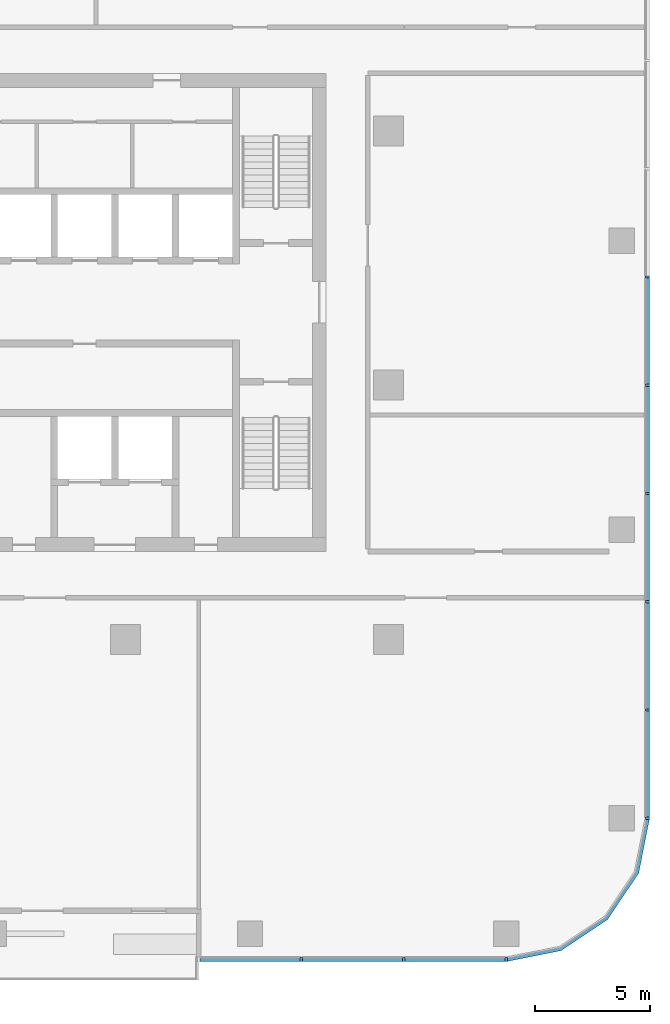
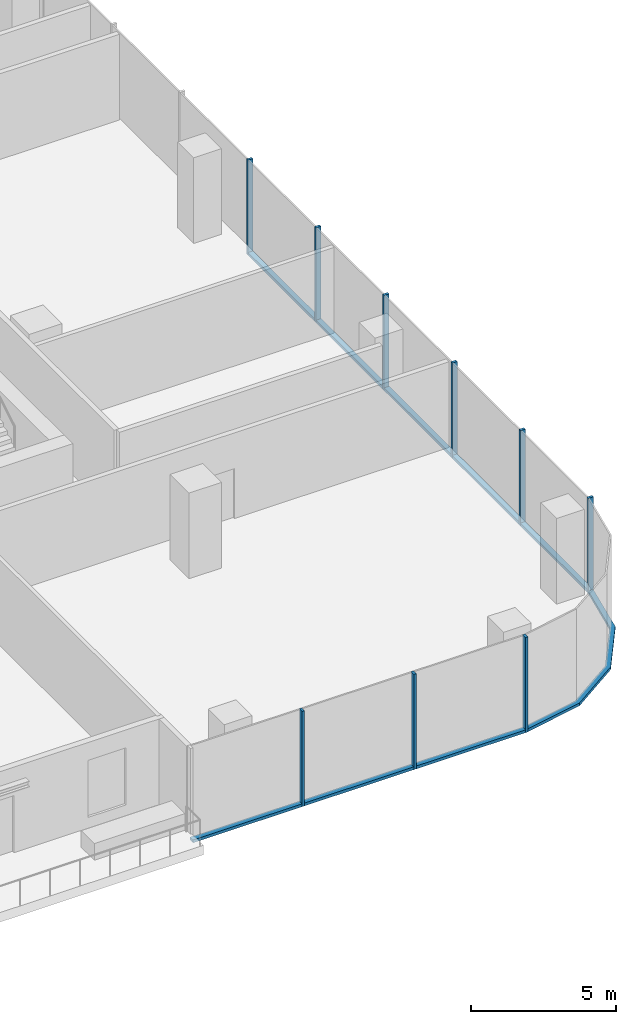
# One storey, part 3 of 14: 18 members, 3 elements without a shape of their own.
"""IFC4 building model written with IfcOpenShell, lengths in metres."""

from ifc_helpers import new_model, si_unit, direction, frame, origin, origin_2d, place, context, subcontext, project, spatial, polyline, rectangle, outline, extrude, material, material_profile, profile_set, type_object, element, aggregate, save


model = new_model("IFC4")

# Units and contexts
model_context = context("Model", 3, precision=1e-05, world=origin(), true_north=direction((0.0, 1.0)))
body_context = subcontext(model_context, "Body", "Model", "MODEL_VIEW")
ifc_project = project(units=[si_unit("LENGTHUNIT", "METRE"), si_unit("AREAUNIT", "SQUARE_METRE"), si_unit("VOLUMEUNIT", "CUBIC_METRE"), si_unit("PLANEANGLEUNIT", "RADIAN"), si_unit("MASSUNIT", "GRAM", prefix="KILO")], contexts=[model_context])

# Site, building, storey
site_placement = place(None, origin())
site = spatial("IfcSite", under=ifc_project, at=site_placement, CompositionType="ELEMENT")
building_placement = place(site_placement, origin())
building = spatial("IfcBuilding", under=site, at=building_placement, Name="Mopane Tessera Tower", CompositionType="ELEMENT")
storey_placement = place(building_placement, frame((0.0, 0.0, 243.0)))
storey = spatial("IfcBuildingStorey", under=building, at=storey_placement, Name="L52", CompositionType="ELEMENT", Elevation=243.0)

# Curtain wall, members
ifc_material_1 = material(Name="Aluminium frame", Category="aluminium")
curtain_wall_type = type_object("IfcCurtainWallType", Name="Unitised curtain wall", PredefinedType="NOTDEFINED", material=ifc_material_1)
curtain_wall_1_placement = place(storey_placement, origin())
curtain_wall_1 = element("IfcCurtainWall", 1, at=curtain_wall_1_placement, inside=storey, type_object=curtain_wall_type, Name="e:cw:L52:S:7", PredefinedType="NOTDEFINED")
ifc_material_2 = material(Name="Aluminium frame", Category="aluminium")
ifc_material_profile_1 = material_profile(ifc_material_2, rectangle(XDim=0.10009765625, YDim=0.199951171875, at=origin_2d()))
ifc_profile_set_1 = profile_set([ifc_material_profile_1], Name="Aluminium frame")
member_type_1 = type_object("IfcMemberType", Name="Aluminium mullion 100 x 200", PredefinedType="MULLION", material=ifc_profile_set_1)
member_1_placement = place(storey_placement, frame((13.320068359375, -24.85009765625, -0.39990234375), z_axis=(0.0, 0.0, 1.0), x_axis=(1.0, 0.0, 0.0)))
member_1 = element("IfcMember", 2, at=member_1_placement, type_object=member_type_1, Name="e:cw:L52:S:7:mu8", PredefinedType="MULLION", context=body_context, shape_type="SweptSolid", body=[
    extrude(rectangle(XDim=0.10009765625, YDim=0.199951171875, at=origin_2d()), origin(), (0.0, 0.0, 1.0), 4.0),
])
member_2_placement = place(storey_placement, frame((17.760009765625, -24.85009765625, -0.39990234375), z_axis=(0.0, 0.0, 1.0), x_axis=(1.0, 0.0, 0.0)))
member_2 = element("IfcMember", 3, at=member_2_placement, type_object=member_type_1, Name="e:cw:L52:S:7:mu9", PredefinedType="MULLION", context=body_context, shape_type="SweptSolid", body=[
    extrude(rectangle(XDim=0.10009765625, YDim=0.199951171875, at=origin_2d()), origin(), (0.0, 0.0, 1.0), 4.0),
])
member_3_placement = place(storey_placement, frame((22.199951171875, -24.85009765625, -0.39990234375), z_axis=(0.0, 0.0, 1.0), x_axis=(1.0, 0.0, 0.0)))
member_3 = element("IfcMember", 4, at=member_3_placement, type_object=member_type_1, Name="e:cw:L52:S:7:mu10", PredefinedType="MULLION", context=body_context, shape_type="SweptSolid", body=[
    extrude(rectangle(XDim=0.10009765625, YDim=0.199951171875, at=origin_2d()), origin(), (0.0, 0.0, 1.0), 4.0),
])

curtain_wall_2_placement = place(storey_placement, origin())
curtain_wall_2 = element("IfcCurtainWall", 5, at=curtain_wall_2_placement, inside=storey, type_object=curtain_wall_type, Name="e:cw:L52:E:0", PredefinedType="NOTDEFINED")
member_4_placement = place(storey_placement, frame((28.300048828125, -18.75, -0.39990234375), z_axis=(0.0, 0.0, 1.0), x_axis=(0.0, 1.0, 0.0)))
member_4 = element("IfcMember", 6, at=member_4_placement, type_object=member_type_1, Name="e:cw:L52:E:0:mu0", PredefinedType="MULLION", context=body_context, shape_type="SweptSolid", body=[
    extrude(rectangle(XDim=0.10009765625, YDim=0.199951171875, at=origin_2d()), origin(), (0.0, 0.0, 1.0), 4.0),
])
member_5_placement = place(storey_placement, frame((28.300048828125, -14.0625, -0.39990234375), z_axis=(0.0, 0.0, 1.0), x_axis=(0.0, 1.0, 0.0)))
member_5 = element("IfcMember", 7, at=member_5_placement, type_object=member_type_1, Name="e:cw:L52:E:0:mu1", PredefinedType="MULLION", context=body_context, shape_type="SweptSolid", body=[
    extrude(rectangle(XDim=0.10009765625, YDim=0.199951171875, at=origin_2d()), origin(), (0.0, 0.0, 1.0), 4.0),
])
member_6_placement = place(storey_placement, frame((28.300048828125, -9.375, -0.39990234375), z_axis=(0.0, 0.0, 1.0), x_axis=(0.0, 1.0, 0.0)))
member_6 = element("IfcMember", 8, at=member_6_placement, type_object=member_type_1, Name="e:cw:L52:E:0:mu2", PredefinedType="MULLION", context=body_context, shape_type="SweptSolid", body=[
    extrude(rectangle(XDim=0.10009765625, YDim=0.199951171875, at=origin_2d()), origin(), (0.0, 0.0, 1.0), 4.0),
])
member_7_placement = place(storey_placement, frame((28.300048828125, -4.6875, -0.39990234375), z_axis=(0.0, 0.0, 1.0), x_axis=(0.0, 1.0, 0.0)))
member_7 = element("IfcMember", 9, at=member_7_placement, type_object=member_type_1, Name="e:cw:L52:E:0:mu3", PredefinedType="MULLION", context=body_context, shape_type="SweptSolid", body=[
    extrude(rectangle(XDim=0.10009765625, YDim=0.199951171875, at=origin_2d()), origin(), (0.0, 0.0, 1.0), 4.0),
])
member_8_placement = place(storey_placement, frame((28.300048828125, 0.0, -0.39990234375), z_axis=(0.0, 0.0, 1.0), x_axis=(0.0, 1.0, 0.0)))
member_8 = element("IfcMember", 10, at=member_8_placement, type_object=member_type_1, Name="e:cw:L52:E:0:mu4", PredefinedType="MULLION", context=body_context, shape_type="SweptSolid", body=[
    extrude(rectangle(XDim=0.10009765625, YDim=0.199951171875, at=origin_2d()), origin(), (0.0, 0.0, 1.0), 4.0),
])
member_9_placement = place(storey_placement, frame((28.300048828125, 4.6875, -0.39990234375), z_axis=(0.0, 0.0, 1.0), x_axis=(0.0, 1.0, 0.0)))
member_9 = element("IfcMember", 11, at=member_9_placement, type_object=member_type_1, Name="e:cw:L52:E:0:mu5", PredefinedType="MULLION", context=body_context, shape_type="SweptSolid", body=[
    extrude(rectangle(XDim=0.10009765625, YDim=0.199951171875, at=origin_2d()), origin(), (0.0, 0.0, 1.0), 4.0),
])

# Member
ifc_material_3 = material(Name="Aluminium frame", Category="aluminium")
ifc_material_profile_2 = material_profile(ifc_material_3, rectangle(XDim=0.199951171875, YDim=0.1201171875, at=origin_2d()))
ifc_profile_set_2 = profile_set([ifc_material_profile_2], Name="Aluminium frame")
member_type_2 = type_object("IfcMemberType", Name="Aluminium transom 200 x 120", PredefinedType="USERDEFINED", material=ifc_profile_set_2)
member_10_placement = place(storey_placement, frame((8.929931640625, -24.85009765625, -0.340087890625), z_axis=(1.0, 0.0, 0.0), x_axis=(0.0, 1.0, 0.0)))
member_10 = element("IfcMember", 12, at=member_10_placement, type_object=member_type_2, Name="e:cw:L52:S:7:tr7", ObjectType="TRANSOM", PredefinedType="USERDEFINED", context=body_context, shape_type="SweptSolid", body=[
    extrude(rectangle(XDim=0.199951171875, YDim=0.1201171875, at=origin_2d()), origin(), (0.0, 0.0, 1.0), 4.340087890625),
])

member_11_placement = place(storey_placement, frame((13.3701171875, -24.85009765625, -0.340087890625), z_axis=(1.0, 0.0, 0.0), x_axis=(0.0, 1.0, 0.0)))
member_11 = element("IfcMember", 13, at=member_11_placement, type_object=member_type_2, Name="e:cw:L52:S:7:tr8", ObjectType="TRANSOM", PredefinedType="USERDEFINED", context=body_context, shape_type="SweptSolid", body=[
    extrude(rectangle(XDim=0.199951171875, YDim=0.1201171875, at=origin_2d()), origin(), (0.0, 0.0, 1.0), 4.33984375),
])

member_12_placement = place(storey_placement, frame((17.81005859375, -24.85009765625, -0.340087890625), z_axis=(1.0, 0.0, 0.0), x_axis=(0.0, 1.0, 0.0)))
member_12 = element("IfcMember", 14, at=member_12_placement, type_object=member_type_2, Name="e:cw:L52:S:7:tr9", ObjectType="TRANSOM", PredefinedType="USERDEFINED", context=body_context, shape_type="SweptSolid", body=[
    extrude(rectangle(XDim=0.199951171875, YDim=0.1201171875, at=origin_2d()), origin(), (0.0, 0.0, 1.0), 4.33984375),
])

aggregate(curtain_wall_1, [member_1, member_2, member_3, member_10, member_11, member_12])

# Curtain wall, member
curtain_wall_3_placement = place(storey_placement, origin())
curtain_wall_3 = element("IfcCurtainWall", 15, at=curtain_wall_3_placement, inside=storey, type_object=curtain_wall_type, Name="e:cw:L52:CS", PredefinedType="NOTDEFINED")
member_13_placement = place(storey_placement, frame((0.0, 0.0, -0.39990234375)))
member_13 = element("IfcMember", 16, at=member_13_placement, type_object=member_type_2, Name="e:cw:L52:CS:tr", ObjectType="TRANSOM", PredefinedType="USERDEFINED", context=body_context, shape_type="SweptSolid", body=[
    extrude(outline(polyline([(22.199951171875, -24.75), (24.49609375, -24.293212890625), (26.442626953125, -22.99267578125), (27.7431640625, -21.046142578125), (28.199951171875, -18.75), (28.39990234375, -18.75), (27.927978515625, -21.12255859375), (26.583984375, -23.134033203125), (24.57275390625, -24.47802734375), (22.199951171875, -24.949951171875), (22.199951171875, -24.75)])), origin(), (0.0, 0.0, 1.0), 0.119873046875),
])
aggregate(curtain_wall_3, [member_13])

# Member
member_14_placement = place(storey_placement, frame((28.300048828125, -18.699951171875, -0.340087890625), z_axis=(0.0, 1.0, 0.0), x_axis=(-1.0, 0.0, 0.0)))
member_14 = element("IfcMember", 17, at=member_14_placement, type_object=member_type_2, Name="e:cw:L52:E:0:tr0", ObjectType="TRANSOM", PredefinedType="USERDEFINED", context=body_context, shape_type="SweptSolid", body=[
    extrude(rectangle(XDim=0.199951171875, YDim=0.1201171875, at=origin_2d()), origin(), (0.0, 0.0, 1.0), 4.58740234375),
])

member_15_placement = place(storey_placement, frame((28.300048828125, -14.012451171875, -0.340087890625), z_axis=(0.0, 1.0, 0.0), x_axis=(-1.0, 0.0, 0.0)))
member_15 = element("IfcMember", 18, at=member_15_placement, type_object=member_type_2, Name="e:cw:L52:E:0:tr1", ObjectType="TRANSOM", PredefinedType="USERDEFINED", context=body_context, shape_type="SweptSolid", body=[
    extrude(rectangle(XDim=0.199951171875, YDim=0.1201171875, at=origin_2d()), origin(), (0.0, 0.0, 1.0), 4.58740234375),
])

member_16_placement = place(storey_placement, frame((28.300048828125, -9.324951171875, -0.340087890625), z_axis=(0.0, 1.0, 0.0), x_axis=(-1.0, 0.0, 0.0)))
member_16 = element("IfcMember", 19, at=member_16_placement, type_object=member_type_2, Name="e:cw:L52:E:0:tr2", ObjectType="TRANSOM", PredefinedType="USERDEFINED", context=body_context, shape_type="SweptSolid", body=[
    extrude(rectangle(XDim=0.199951171875, YDim=0.1201171875, at=origin_2d()), origin(), (0.0, 0.0, 1.0), 4.58740234375),
])

member_17_placement = place(storey_placement, frame((28.300048828125, -4.637451171875, -0.340087890625), z_axis=(0.0, 1.0, 0.0), x_axis=(-1.0, 0.0, 0.0)))
member_17 = element("IfcMember", 20, at=member_17_placement, type_object=member_type_2, Name="e:cw:L52:E:0:tr3", ObjectType="TRANSOM", PredefinedType="USERDEFINED", context=body_context, shape_type="SweptSolid", body=[
    extrude(rectangle(XDim=0.199951171875, YDim=0.1201171875, at=origin_2d()), origin(), (0.0, 0.0, 1.0), 4.58740234375),
])

member_18_placement = place(storey_placement, frame((28.300048828125, 0.050048828125, -0.340087890625), z_axis=(0.0, 1.0, 0.0), x_axis=(-1.0, 0.0, 0.0)))
member_18 = element("IfcMember", 21, at=member_18_placement, type_object=member_type_2, Name="e:cw:L52:E:0:tr4", ObjectType="TRANSOM", PredefinedType="USERDEFINED", context=body_context, shape_type="SweptSolid", body=[
    extrude(rectangle(XDim=0.199951171875, YDim=0.1201171875, at=origin_2d()), origin(), (0.0, 0.0, 1.0), 4.58740234375),
])

aggregate(curtain_wall_2, [member_4, member_5, member_6, member_7, member_8, member_9, member_14, member_15, member_16, member_17, member_18])

save(model, "model.ifc")
